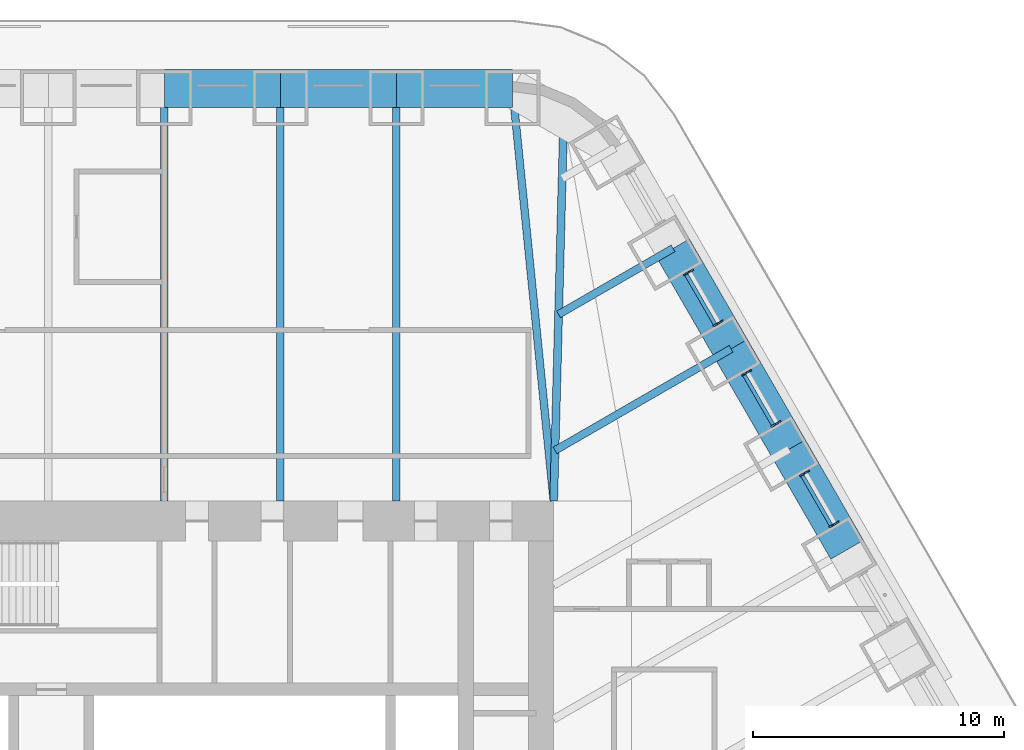
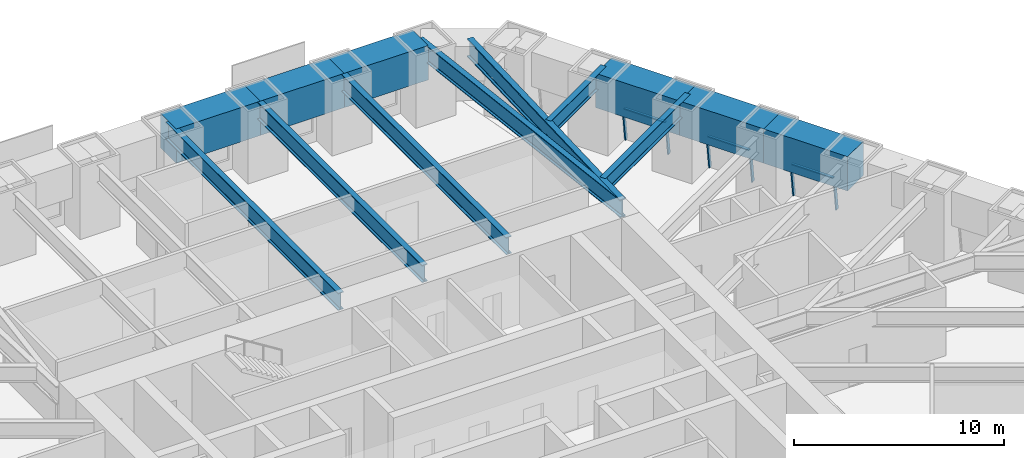
# One storey, part 11 of 20: 13 beams, 9 members, 3 elements without a shape of their own.
"""IFC4 building model written with IfcOpenShell, lengths in metres."""

from ifc_helpers import new_model, si_unit, direction, frame, origin, origin_2d, place, context, subcontext, project, spatial, rectangle, i_section, extrude, material, material_profile, profile_set, type_object, element, aggregate, save


model = new_model("IFC4")

# Units and contexts
model_context = context("Model", 3, precision=1e-05, world=origin(), true_north=direction((0.0, 1.0)))
body_context = subcontext(model_context, "Body", "Model", "MODEL_VIEW")
ifc_project = project(units=[si_unit("LENGTHUNIT", "METRE"), si_unit("AREAUNIT", "SQUARE_METRE"), si_unit("VOLUMEUNIT", "CUBIC_METRE"), si_unit("PLANEANGLEUNIT", "RADIAN"), si_unit("MASSUNIT", "GRAM", prefix="KILO")], contexts=[model_context])

# Site, building, storey
site_placement = place(None, origin())
site = spatial("IfcSite", under=ifc_project, at=site_placement, CompositionType="ELEMENT")
building_placement = place(site_placement, origin())
building = spatial("IfcBuilding", under=site, at=building_placement, Name="Tarfa Lantern Tower", CompositionType="ELEMENT")
storey_placement = place(building_placement, frame((0.0, 0.0, 215.5)))
storey = spatial("IfcBuildingStorey", under=building, at=storey_placement, Name="L48", CompositionType="ELEMENT", Elevation=215.5)

# Curtain wall, members
ifc_material_1 = material(Name="Aluminium framed curtain wall", Category="aluminium")
curtain_wall_type = type_object("IfcCurtainWallType", Name="CW3 CANTED GLAZING HIGH ZONE 2000", PredefinedType="USERDEFINED", material=ifc_material_1)
curtain_wall_1_placement = place(storey_placement, origin())
curtain_wall_1 = element("IfcCurtainWall", 1, at=curtain_wall_1_placement, inside=storey, type_object=curtain_wall_type, Name="CW3 NE L48", ObjectType="CURTAIN WALL", PredefinedType="USERDEFINED")
ifc_material_2 = material(Name="Aluminium mullion", Category="aluminium")
ifc_material_profile_1 = material_profile(ifc_material_2, rectangle(XDim=0.06494140625, YDim=0.199951171875, at=origin_2d()), Name="AL MULLION 65x200")
ifc_profile_set_1 = profile_set([ifc_material_profile_1], Name="Aluminium mullion")
member_type_1 = type_object("IfcMemberType", Name="CWM1 MULLION 65x200", PredefinedType="MULLION", material=ifc_profile_set_1)
member_1_placement = place(storey_placement, frame((26.771240234375, 11.4306640625, 0.0), z_axis=(-0.107439978116, -0.062017213975, 0.992275423596), x_axis=(0.499919672301, -0.866071776036, 0.0)))
member_1 = element("IfcMember", 2, at=member_1_placement, type_object=member_type_1, Name="CW3 mullion 1", PredefinedType="MULLION", context=body_context, shape_type="SweptSolid", body=[
    extrude(rectangle(XDim=0.06494140625, YDim=0.199951171875, at=origin_2d()), origin(), (0.0, 0.0, 1.0), 2.015625),
])
member_2_placement = place(storey_placement, frame((25.594482421875, 13.46923828125, 0.0), z_axis=(-0.107439978116, -0.062017213975, 0.992275423596), x_axis=(0.499919672301, -0.866071776036, 0.0)))
member_2 = element("IfcMember", 3, at=member_2_placement, type_object=member_type_1, Name="CW3 mullion 2", PredefinedType="MULLION", context=body_context, shape_type="SweptSolid", body=[
    extrude(rectangle(XDim=0.06494140625, YDim=0.199951171875, at=origin_2d()), origin(), (0.0, 0.0, 1.0), 2.015625),
])

curtain_wall_2_placement = place(storey_placement, origin())
curtain_wall_2 = element("IfcCurtainWall", 4, at=curtain_wall_2_placement, inside=storey, type_object=curtain_wall_type, Name="CW3 NE L48", ObjectType="CURTAIN WALL", PredefinedType="USERDEFINED")
member_3_placement = place(storey_placement, frame((24.4619140625, 15.4306640625, 0.0), z_axis=(-0.107439978116, -0.062017213975, 0.992275423596), x_axis=(0.499919672301, -0.866071776036, 0.0)))
member_3 = element("IfcMember", 5, at=member_3_placement, type_object=member_type_1, Name="CW3 mullion 1", PredefinedType="MULLION", context=body_context, shape_type="SweptSolid", body=[
    extrude(rectangle(XDim=0.06494140625, YDim=0.199951171875, at=origin_2d()), origin(), (0.0, 0.0, 1.0), 2.015625),
])
member_4_placement = place(storey_placement, frame((23.284912109375, 17.46923828125, 0.0), z_axis=(-0.107439978116, -0.062017213975, 0.992275423596), x_axis=(0.499919672301, -0.866071776036, 0.0)))
member_4 = element("IfcMember", 6, at=member_4_placement, type_object=member_type_1, Name="CW3 mullion 2", PredefinedType="MULLION", context=body_context, shape_type="SweptSolid", body=[
    extrude(rectangle(XDim=0.06494140625, YDim=0.199951171875, at=origin_2d()), origin(), (0.0, 0.0, 1.0), 2.015625),
])

curtain_wall_3_placement = place(storey_placement, origin())
curtain_wall_3 = element("IfcCurtainWall", 7, at=curtain_wall_3_placement, inside=storey, type_object=curtain_wall_type, Name="CW3 NE L48", ObjectType="CURTAIN WALL", PredefinedType="USERDEFINED")
member_5_placement = place(storey_placement, frame((22.152587890625, 19.4306640625, 0.0), z_axis=(-0.107439978116, -0.062017213975, 0.992275423596), x_axis=(0.499919672301, -0.866071776036, 0.0)))
member_5 = element("IfcMember", 8, at=member_5_placement, type_object=member_type_1, Name="CW3 mullion 1", PredefinedType="MULLION", context=body_context, shape_type="SweptSolid", body=[
    extrude(rectangle(XDim=0.06494140625, YDim=0.199951171875, at=origin_2d()), origin(), (0.0, 0.0, 1.0), 2.015625),
])
member_6_placement = place(storey_placement, frame((20.9755859375, 21.46923828125, 0.0), z_axis=(-0.107439978116, -0.062017213975, 0.992275423596), x_axis=(0.499919672301, -0.866071776036, 0.0)))
member_6 = element("IfcMember", 9, at=member_6_placement, type_object=member_type_1, Name="CW3 mullion 2", PredefinedType="MULLION", context=body_context, shape_type="SweptSolid", body=[
    extrude(rectangle(XDim=0.06494140625, YDim=0.199951171875, at=origin_2d()), origin(), (0.0, 0.0, 1.0), 2.015625),
])

# Member
ifc_material_3 = material(Name="Aluminium transom", Category="aluminium")
ifc_material_profile_2 = material_profile(ifc_material_3, rectangle(XDim=0.14990234375, YDim=0.06494140625, at=origin_2d()), Name="AL TRANSOM 150x65")
ifc_profile_set_2 = profile_set([ifc_material_profile_2], Name="Aluminium transom")
member_type_2 = type_object("IfcMemberType", Name="CWT1 TRANSOM 150x65", PredefinedType="USERDEFINED", material=ifc_profile_set_2)
member_7_placement = place(storey_placement, frame((26.5419921875, 11.3359375, 1.967529296875), z_axis=(-0.499959451571, 0.866048813165, 0.0), x_axis=(-0.866048813165, -0.499959451571, 0.0)))
member_7 = element("IfcMember", 10, at=member_7_placement, type_object=member_type_2, Name="CW3 transom 1.2", ObjectType="TRANSOM", PredefinedType="USERDEFINED", context=body_context, shape_type="SweptSolid", body=[
    extrude(rectangle(XDim=0.14990234375, YDim=0.06494140625, at=origin_2d()), origin(), (0.0, 0.0, 1.0), 2.288818359375),
])

aggregate(curtain_wall_1, [member_1, member_2, member_7])

member_8_placement = place(storey_placement, frame((24.232666015625, 15.3359375, 1.967529296875), z_axis=(-0.500039451542, 0.866002625228, 0.0), x_axis=(-0.866002625228, -0.500039451542, 0.0)))
member_8 = element("IfcMember", 11, at=member_8_placement, type_object=member_type_2, Name="CW3 transom 1.2", ObjectType="TRANSOM", PredefinedType="USERDEFINED", context=body_context, shape_type="SweptSolid", body=[
    extrude(rectangle(XDim=0.14990234375, YDim=0.06494140625, at=origin_2d()), origin(), (0.0, 0.0, 1.0), 2.288818359375),
])

aggregate(curtain_wall_2, [member_3, member_4, member_8])

member_9_placement = place(storey_placement, frame((21.92333984375, 19.3359375, 1.967529296875), z_axis=(-0.500039451542, 0.866002625228, 0.0), x_axis=(-0.866002625228, -0.500039451542, 0.0)))
member_9 = element("IfcMember", 12, at=member_9_placement, type_object=member_type_2, Name="CW3 transom 1.2", ObjectType="TRANSOM", PredefinedType="USERDEFINED", context=body_context, shape_type="SweptSolid", body=[
    extrude(rectangle(XDim=0.14990234375, YDim=0.06494140625, at=origin_2d()), origin(), (0.0, 0.0, 1.0), 2.288818359375),
])

aggregate(curtain_wall_3, [member_5, member_6, member_9])

# Beams
ifc_material_4 = material(Name="Concrete C80/95", Category="concrete")
ifc_material_profile_3 = material_profile(ifc_material_4, rectangle(XDim=1.5, YDim=2.0, at=origin_2d()), Name="RC 1500x2000")
ifc_profile_set_3 = profile_set([ifc_material_profile_3], Name="Concrete C80/95")
beam_type_1 = type_object("IfcBeamType", Name="RB3 RC 1500x2000", PredefinedType="BEAM", material=ifc_profile_set_3)
beam_1_placement = place(storey_placement, frame((27.181640625, 10.360107421875, 3.0), z_axis=(-0.499987836815, 0.866032426089, 0.0), x_axis=(-0.866032426089, -0.499987836815, 0.0)))
element("IfcBeam", 13, at=beam_1_placement, inside=storey, type_object=beam_type_1, Name="Edge beam NE2", PredefinedType="BEAM", context=body_context, shape_type="SweptSolid", body=[
    extrude(rectangle(XDim=1.5, YDim=2.0, at=origin_2d()), origin(), (0.0, 0.0, 1.0), 4.61865234375),
])
beam_2_placement = place(storey_placement, frame((24.872314453125, 14.360107421875, 3.0), z_axis=(-0.500027479704, 0.866009537788, 0.0), x_axis=(-0.866009537788, -0.500027479704, 0.0)))
element("IfcBeam", 14, at=beam_2_placement, inside=storey, type_object=beam_type_1, Name="Edge beam NE3", PredefinedType="BEAM", context=body_context, shape_type="SweptSolid", body=[
    extrude(rectangle(XDim=1.5, YDim=2.0, at=origin_2d()), origin(), (0.0, 0.0, 1.0), 4.618896484375),
])
beam_3_placement = place(storey_placement, frame((22.562744140625, 18.360107421875, 3.0), z_axis=(-0.499987836815, 0.866032426089, 0.0), x_axis=(-0.866032426089, -0.499987836815, 0.0)))
element("IfcBeam", 15, at=beam_3_placement, inside=storey, type_object=beam_type_1, Name="Edge beam NE4", PredefinedType="BEAM", context=body_context, shape_type="SweptSolid", body=[
    extrude(rectangle(XDim=1.5, YDim=2.0, at=origin_2d()), origin(), (0.0, 0.0, 1.0), 4.61865234375),
])
beam_4_placement = place(storey_placement, frame((13.8564453125, 28.719970703125, 3.0), z_axis=(-1.0, 0.0, 0.0), x_axis=(0.0, -1.0, 0.0)))
element("IfcBeam", 16, at=beam_4_placement, inside=storey, type_object=beam_type_1, Name="Edge beam N0", PredefinedType="BEAM", context=body_context, shape_type="SweptSolid", body=[
    extrude(rectangle(XDim=1.5, YDim=2.0, at=origin_2d()), origin(), (0.0, 0.0, 1.0), 4.618896484375),
])
beam_5_placement = place(storey_placement, frame((9.237548828125, 28.719970703125, 3.0), z_axis=(-1.0, 0.0, 0.0), x_axis=(0.0, -1.0, 0.0)))
element("IfcBeam", 17, at=beam_5_placement, inside=storey, type_object=beam_type_1, Name="Edge beam N1", PredefinedType="BEAM", context=body_context, shape_type="SweptSolid", body=[
    extrude(rectangle(XDim=1.5, YDim=2.0, at=origin_2d()), origin(), (0.0, 0.0, 1.0), 4.61865234375),
])
beam_6_placement = place(storey_placement, frame((4.618896484375, 28.719970703125, 3.0), z_axis=(-1.0, 0.0, 0.0), x_axis=(0.0, -1.0, 0.0)))
element("IfcBeam", 18, at=beam_6_placement, inside=storey, type_object=beam_type_1, Name="Edge beam N2", PredefinedType="BEAM", context=body_context, shape_type="SweptSolid", body=[
    extrude(rectangle(XDim=1.5, YDim=2.0, at=origin_2d()), origin(), (0.0, 0.0, 1.0), 4.618896484375),
])
ifc_material_5 = material(Name="Steel S460M", Category="steel")
ifc_material_profile_4 = material_profile(ifc_material_5, i_section(OverallWidth=0.302001953125, OverallDepth=1.008056640625, WebThickness=0.02099609375, FlangeThickness=0.0400390625, FilletRadius=0.030029296875, at=origin_2d()), Name="UB1016x305x349")
ifc_profile_set_4 = profile_set([ifc_material_profile_4], Name="Steel S460M")
beam_type_2 = type_object("IfcBeamType", Name="UB1016x305x349", PredefinedType="BEAM", material=ifc_profile_set_4)
beam_7_placement = place(storey_placement, frame((13.8564453125, 28.719970703125, 3.495849609375), z_axis=(0.099597466746, -0.995027810977, 0.0), x_axis=(0.995027810977, 0.099597466746, 0.0)))
element("IfcBeam", 19, at=beam_7_placement, inside=storey, type_object=beam_type_2, Name="Floor beam N0", PredefinedType="BEAM", context=body_context, shape_type="SweptSolid", body=[
    extrude(i_section(OverallWidth=0.302001953125, OverallDepth=1.008056640625, WebThickness=0.02099609375, FlangeThickness=0.0400390625, FilletRadius=0.030029296875, at=origin_2d()), origin(), (0.0, 0.0, 1.0), 16.501953125),
])
for number, where, z_axis, x_axis, name in (
    (20, (9.237548828125, 28.719970703125, 3.495849609375), (0.0, -1.0, 0.0), (1.0, 0.0, 0.0), "Floor beam N1"),
    (21, (4.618896484375, 28.719970703125, 3.495849609375), (0.0, -1.0, 0.0), (1.0, 0.0, 0.0), "Floor beam N2"),
    (22, (0.0, 28.719970703125, 3.495849609375), (0.0, -1.0, 0.0), (1.0, 0.0, 0.0), "Floor beam N3"),
):
    element("IfcBeam", number, at=place(storey_placement, frame(where, z_axis=z_axis, x_axis=x_axis)), inside=storey, type_object=beam_type_2, Name=name, PredefinedType="BEAM", context=body_context, shape_type="SweptSolid", body=[
        extrude(i_section(OverallWidth=0.302001953125, OverallDepth=1.008056640625, WebThickness=0.02099609375, FlangeThickness=0.0400390625, FilletRadius=0.030029296875, at=origin_2d()), origin(), (0.0, 0.0, 1.0), 16.419921875),
    ])
ifc_material_profile_5 = material_profile(ifc_material_5, i_section(OverallWidth=0.314208984375, OverallDepth=1.055908203125, WebThickness=0.035888671875, FlangeThickness=0.06396484375, FilletRadius=0.030029296875, at=origin_2d()), Name="UB1016x305x584")
ifc_profile_set_5 = profile_set([ifc_material_profile_5], Name="Steel S460M")
beam_type_3 = type_object("IfcBeamType", Name="UB1016x305x584", PredefinedType="BEAM", material=ifc_profile_set_5)
beam_8_placement = place(storey_placement, frame((15.5, 12.300048828125, 3.471923828125), z_axis=(0.026247301989, 0.999655480222, 0.0), x_axis=(-0.999655480222, 0.026247301989, 0.0)))
element("IfcBeam", 23, at=beam_8_placement, inside=storey, type_object=beam_type_3, Name="Hip girder NE", PredefinedType="BEAM", context=body_context, shape_type="SweptSolid", body=[
    extrude(i_section(OverallWidth=0.314208984375, OverallDepth=1.055908203125, WebThickness=0.035888671875, FlangeThickness=0.06396484375, FilletRadius=0.030029296875, at=origin_2d()), origin(), (0.0, 0.0, 1.0), 15.245361328125),
])
ifc_material_profile_6 = material_profile(ifc_material_5, i_section(OverallWidth=0.305419921875, OverallDepth=0.91845703125, WebThickness=0.017333984375, FlangeThickness=0.02783203125, FilletRadius=0.01904296875, at=origin_2d()), Name="UB914x305x253")
ifc_profile_set_6 = profile_set([ifc_material_profile_6], Name="Steel S460M")
beam_type_4 = type_object("IfcBeamType", Name="UB914x305x253", PredefinedType="BEAM", material=ifc_profile_set_6)
beam_9_placement = place(storey_placement, frame((22.562744140625, 18.360107421875, 3.540771484375), z_axis=(-0.866010787764, -0.500025314835, 0.0), x_axis=(0.500025314835, -0.866010787764, 0.0)))
element("IfcBeam", 24, at=beam_9_placement, inside=storey, type_object=beam_type_4, Name="Floor beam NE4", PredefinedType="BEAM", context=body_context, shape_type="SweptSolid", body=[
    extrude(i_section(OverallWidth=0.305419921875, OverallDepth=0.91845703125, WebThickness=0.017333984375, FlangeThickness=0.02783203125, FilletRadius=0.01904296875, at=origin_2d()), origin(), (0.0, 0.0, 1.0), 8.09423828125),
])
beam_10_placement = place(storey_placement, frame((20.25341796875, 22.360107421875, 3.540771484375), z_axis=(-0.86601951648, -0.500010196972, 0.0), x_axis=(0.500010196972, -0.86601951648, 0.0)))
element("IfcBeam", 25, at=beam_10_placement, inside=storey, type_object=beam_type_4, Name="Floor beam NE5", PredefinedType="BEAM", context=body_context, shape_type="SweptSolid", body=[
    extrude(i_section(OverallWidth=0.305419921875, OverallDepth=0.91845703125, WebThickness=0.017333984375, FlangeThickness=0.02783203125, FilletRadius=0.01904296875, at=origin_2d()), origin(), (0.0, 0.0, 1.0), 5.263671875),
])

save(model, "model.ifc")
